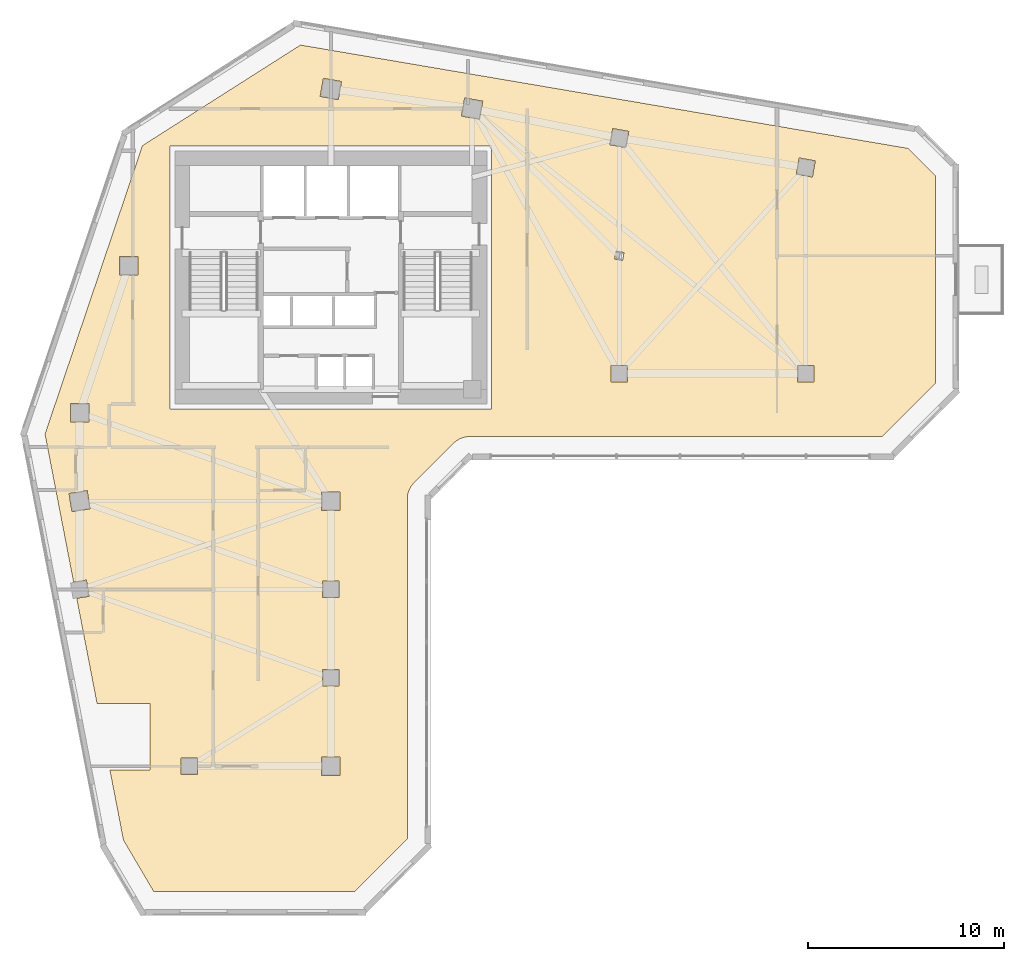
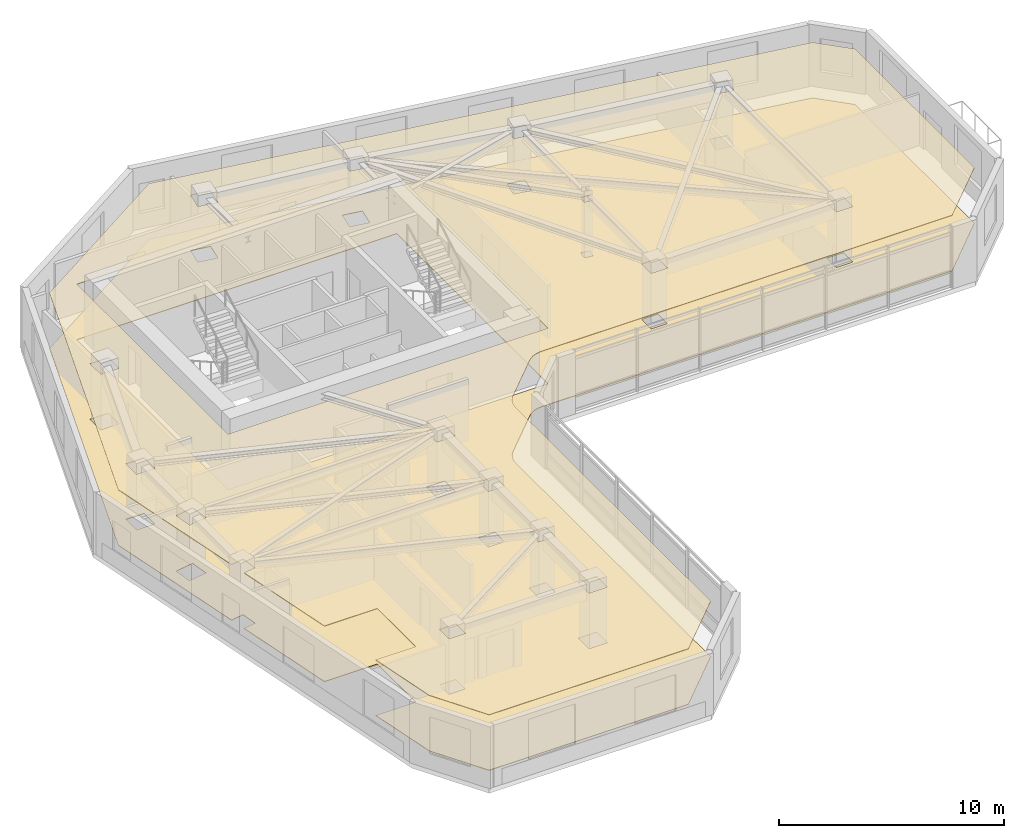
# One storey, part 10 of 13: 2 coverings.
"""IFC4 building model written with IfcOpenShell, lengths in metres."""

from ifc_helpers import new_model, si_unit, direction, frame, origin, place, context, subcontext, project, spatial, polyline, outline, extrude, material, layer, layer_set, type_object, element, save


model = new_model("IFC4")

# Units and contexts
model_context = context("Model", 3, precision=1e-05, world=origin(), true_north=direction((0.0, 1.0)))
body_context = subcontext(model_context, "Body", "Model", "MODEL_VIEW")
ifc_project = project(units=[si_unit("LENGTHUNIT", "METRE"), si_unit("AREAUNIT", "SQUARE_METRE"), si_unit("VOLUMEUNIT", "CUBIC_METRE"), si_unit("PLANEANGLEUNIT", "RADIAN"), si_unit("MASSUNIT", "GRAM", prefix="KILO")], contexts=[model_context])

# Site, building, storey
site_placement = place(None, origin())
site = spatial("IfcSite", under=ifc_project, at=site_placement, CompositionType="ELEMENT")
building_placement = place(site_placement, origin())
building = spatial("IfcBuilding", under=site, at=building_placement, Name="Calvemar Wedge Station Tower", CompositionType="ELEMENT")
storey_placement = place(building_placement, frame((0.0, 0.0, 132.199951171875)))
storey = spatial("IfcBuildingStorey", under=building, at=storey_placement, Name="L32", CompositionType="ELEMENT", Elevation=132.199951171875)

# Coverings
ifc_material_1 = material(Name="Moisture-resistant gypsum ceiling")
ifc_layer_1 = layer(ifc_material_1, 0.0400390625)
ifc_layer_set_1 = layer_set([ifc_layer_1], Name="Moisture-resistant gypsum ceiling")
covering_type_1 = type_object("IfcCoveringType", Name="COV-CEIL-GYPSUM", PredefinedType="CEILING", material=ifc_layer_set_1)
covering_1_placement = place(storey_placement, frame((0.0, 0.0, 3.0)))
element("IfcCovering", 1, at=covering_1_placement, inside=storey, type_object=covering_type_1, Name="Storey L32 Acoustic Suspended Ceiling", PredefinedType="CEILING", context=body_context, shape_type="SweptSolid", body=[
    extrude(outline(polyline([(28.047607421875, 29.4404296875), (30.047607421875, 31.4404296875), (30.134765625, 31.51953125), (30.229248046875, 31.58984375), (30.330322265625, 31.650390625), (30.436767578125, 31.70068359375), (30.547607421875, 31.740234375), (30.661865234375, 31.768798828125), (30.7783203125, 31.7861328125), (30.89599609375, 31.7919921875), (51.90283203125, 31.7919921875), (54.60009765625, 34.489013671875), (54.60009765625, 45.094970703125), (53.221923828125, 46.47314453125), (22.25439453125, 51.739501953125), (14.201416015625, 46.614990234375), (9.23828125, 31.91650390625), (10.695068359375, 24.37646484375), (11.348388671875, 24.481201171875), (11.481201171875, 23.651611328125), (10.8544921875, 23.55126953125), (11.888427734375, 18.199951171875), (14.60009765625, 18.199951171875), (14.60009765625, 14.800048828125), (12.54541015625, 14.800048828125), (13.235107421875, 11.23046875), (14.7822265625, 8.60009765625), (24.998779296875, 8.60009765625), (27.696044921875, 11.297119140625), (27.696044921875, 28.592041015625), (27.701904296875, 28.709716796875), (27.718994140625, 28.826171875), (27.747802734375, 28.940185546875), (27.787353515625, 29.05126953125), (27.837646484375, 29.15771484375), (27.898193359375, 29.2587890625), (27.968505859375, 29.353271484375), (28.047607421875, 29.4404296875)]), holes=[polyline([(15.60009765625, 46.60009765625), (32.0, 46.60009765625), (32.0, 33.199951171875), (15.60009765625, 33.199951171875), (15.60009765625, 46.60009765625)]), polyline([(10.530029296875, 32.530029296875), (10.530029296875, 33.469970703125), (11.469970703125, 33.469970703125), (11.469970703125, 32.530029296875), (10.530029296875, 32.530029296875)]), polyline([(13.030029296875, 40.969970703125), (13.969970703125, 40.969970703125), (13.969970703125, 40.030029296875), (13.030029296875, 40.030029296875), (13.030029296875, 40.969970703125)]), polyline([(24.345703125, 49.87939453125), (24.17919921875, 48.9541015625), (23.254150390625, 49.12060546875), (23.420654296875, 50.0458984375), (24.345703125, 49.87939453125)]), polyline([(31.37939453125, 47.9541015625), (30.4541015625, 48.12060546875), (30.62060546875, 49.0458984375), (31.5458984375, 48.87939453125), (31.37939453125, 47.9541015625)]), polyline([(38.01220703125, 46.660888671875), (38.160888671875, 47.48779296875), (38.98779296875, 47.339111328125), (38.839111328125, 46.51220703125), (38.01220703125, 46.660888671875)]), polyline([(47.660888671875, 45.98779296875), (48.48779296875, 45.839111328125), (48.339111328125, 45.01220703125), (47.51220703125, 45.160888671875), (47.660888671875, 45.98779296875)]), polyline([(38.919921875, 35.419921875), (38.919921875, 34.580078125), (38.080078125, 34.580078125), (38.080078125, 35.419921875), (38.919921875, 35.419921875)]), polyline([(48.419921875, 34.580078125), (47.580078125, 34.580078125), (47.580078125, 35.419921875), (48.419921875, 35.419921875), (48.419921875, 34.580078125)]), polyline([(38.259765625, 40.833984375), (38.332763671875, 41.239501953125), (38.740234375, 41.166015625), (38.667236328125, 40.760498046875), (38.259765625, 40.833984375)]), polyline([(11.389892578125, 29.038330078125), (11.538330078125, 28.110107421875), (10.610107421875, 27.961669921875), (10.461669921875, 28.889892578125), (11.389892578125, 29.038330078125)]), polyline([(24.27001953125, 28.030029296875), (23.330078125, 28.030029296875), (23.330078125, 28.969970703125), (24.27001953125, 28.969970703125), (24.27001953125, 28.030029296875)]), polyline([(23.3798828125, 23.580078125), (23.3798828125, 24.419921875), (24.219970703125, 24.419921875), (24.219970703125, 23.580078125), (23.3798828125, 23.580078125)]), polyline([(23.3798828125, 19.919921875), (24.219970703125, 19.919921875), (24.219970703125, 19.080078125), (23.3798828125, 19.080078125), (23.3798828125, 19.919921875)]), polyline([(24.27001953125, 15.469970703125), (24.27001953125, 14.530029296875), (23.330078125, 14.530029296875), (23.330078125, 15.469970703125), (24.27001953125, 15.469970703125)]), polyline([(17.02001953125, 14.580078125), (16.179931640625, 14.580078125), (16.179931640625, 15.419921875), (17.02001953125, 15.419921875), (17.02001953125, 14.580078125)])]), origin(), (0.0, 0.0, 1.0), 0.0400390625),
])
ifc_material_2 = material(Name="Honed coastal granite stone tile", Category="masonry")
ifc_layer_2 = layer(ifc_material_2, 0.030029296875)
ifc_layer_set_2 = layer_set([ifc_layer_2], Name="Honed coastal granite stone tile")
covering_type_2 = type_object("IfcCoveringType", Name="COV-FLR-STONE", PredefinedType="FLOORING", material=ifc_layer_set_2)
covering_2_placement = place(storey_placement, origin())
element("IfcCovering", 2, at=covering_2_placement, inside=storey, type_object=covering_type_2, Name="Storey L32 Architectural Floor Finish", PredefinedType="FLOORING", context=body_context, shape_type="SweptSolid", body=[
    extrude(outline(polyline([(28.047607421875, 29.4404296875), (30.047607421875, 31.4404296875), (30.134765625, 31.51953125), (30.229248046875, 31.58984375), (30.330322265625, 31.650390625), (30.436767578125, 31.70068359375), (30.547607421875, 31.740234375), (30.661865234375, 31.768798828125), (30.7783203125, 31.7861328125), (30.89599609375, 31.7919921875), (51.90283203125, 31.7919921875), (54.60009765625, 34.489013671875), (54.60009765625, 45.094970703125), (53.221923828125, 46.47314453125), (22.25439453125, 51.739501953125), (14.201416015625, 46.614990234375), (9.23828125, 31.91650390625), (10.695068359375, 24.37646484375), (11.348388671875, 24.481201171875), (11.481201171875, 23.651611328125), (10.8544921875, 23.55126953125), (11.888427734375, 18.199951171875), (14.60009765625, 18.199951171875), (14.60009765625, 14.800048828125), (12.54541015625, 14.800048828125), (13.235107421875, 11.23046875), (14.7822265625, 8.60009765625), (24.998779296875, 8.60009765625), (27.696044921875, 11.297119140625), (27.696044921875, 28.592041015625), (27.701904296875, 28.709716796875), (27.718994140625, 28.826171875), (27.747802734375, 28.940185546875), (27.787353515625, 29.05126953125), (27.837646484375, 29.15771484375), (27.898193359375, 29.2587890625), (27.968505859375, 29.353271484375), (28.047607421875, 29.4404296875)]), holes=[polyline([(15.60009765625, 46.60009765625), (32.0, 46.60009765625), (32.0, 33.199951171875), (15.60009765625, 33.199951171875), (15.60009765625, 46.60009765625)]), polyline([(10.530029296875, 32.530029296875), (10.530029296875, 33.469970703125), (11.469970703125, 33.469970703125), (11.469970703125, 32.530029296875), (10.530029296875, 32.530029296875)]), polyline([(13.030029296875, 40.969970703125), (13.969970703125, 40.969970703125), (13.969970703125, 40.030029296875), (13.030029296875, 40.030029296875), (13.030029296875, 40.969970703125)]), polyline([(24.345703125, 49.87939453125), (24.17919921875, 48.9541015625), (23.254150390625, 49.12060546875), (23.420654296875, 50.0458984375), (24.345703125, 49.87939453125)]), polyline([(31.37939453125, 47.9541015625), (30.4541015625, 48.12060546875), (30.62060546875, 49.0458984375), (31.5458984375, 48.87939453125), (31.37939453125, 47.9541015625)]), polyline([(38.01220703125, 46.660888671875), (38.160888671875, 47.48779296875), (38.98779296875, 47.339111328125), (38.839111328125, 46.51220703125), (38.01220703125, 46.660888671875)]), polyline([(47.660888671875, 45.98779296875), (48.48779296875, 45.839111328125), (48.339111328125, 45.01220703125), (47.51220703125, 45.160888671875), (47.660888671875, 45.98779296875)]), polyline([(38.919921875, 35.419921875), (38.919921875, 34.580078125), (38.080078125, 34.580078125), (38.080078125, 35.419921875), (38.919921875, 35.419921875)]), polyline([(48.419921875, 34.580078125), (47.580078125, 34.580078125), (47.580078125, 35.419921875), (48.419921875, 35.419921875), (48.419921875, 34.580078125)]), polyline([(38.259765625, 40.833984375), (38.332763671875, 41.239501953125), (38.740234375, 41.166015625), (38.667236328125, 40.760498046875), (38.259765625, 40.833984375)]), polyline([(11.389892578125, 29.038330078125), (11.538330078125, 28.110107421875), (10.610107421875, 27.961669921875), (10.461669921875, 28.889892578125), (11.389892578125, 29.038330078125)]), polyline([(24.27001953125, 28.030029296875), (23.330078125, 28.030029296875), (23.330078125, 28.969970703125), (24.27001953125, 28.969970703125), (24.27001953125, 28.030029296875)]), polyline([(23.3798828125, 23.580078125), (23.3798828125, 24.419921875), (24.219970703125, 24.419921875), (24.219970703125, 23.580078125), (23.3798828125, 23.580078125)]), polyline([(23.3798828125, 19.919921875), (24.219970703125, 19.919921875), (24.219970703125, 19.080078125), (23.3798828125, 19.080078125), (23.3798828125, 19.919921875)]), polyline([(24.27001953125, 15.469970703125), (24.27001953125, 14.530029296875), (23.330078125, 14.530029296875), (23.330078125, 15.469970703125), (24.27001953125, 15.469970703125)]), polyline([(17.02001953125, 14.580078125), (16.179931640625, 14.580078125), (16.179931640625, 15.419921875), (17.02001953125, 15.419921875), (17.02001953125, 14.580078125)])]), origin(), (0.0, 0.0, 1.0), 0.030029296875),
])

save(model, "model.ifc")
